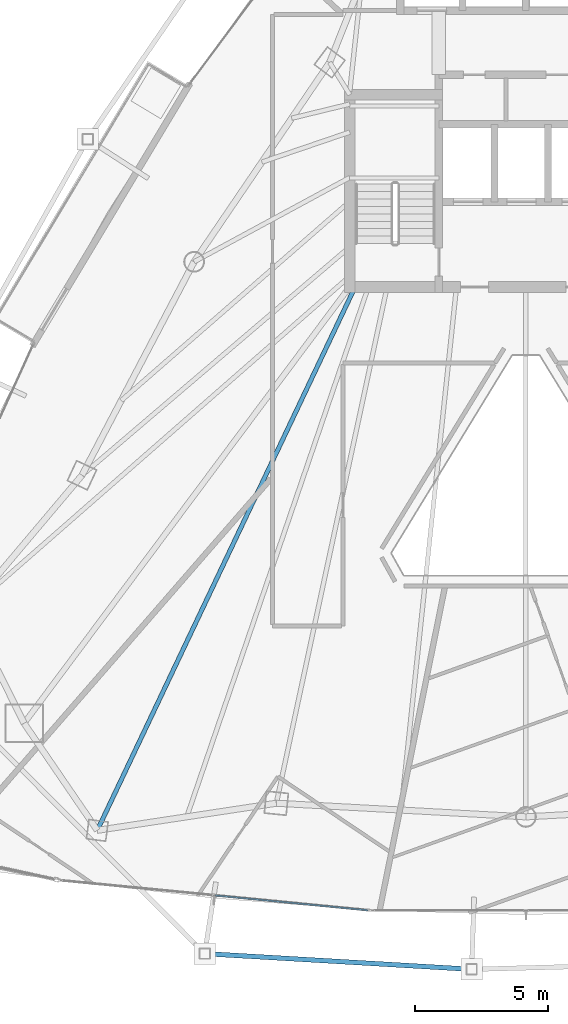
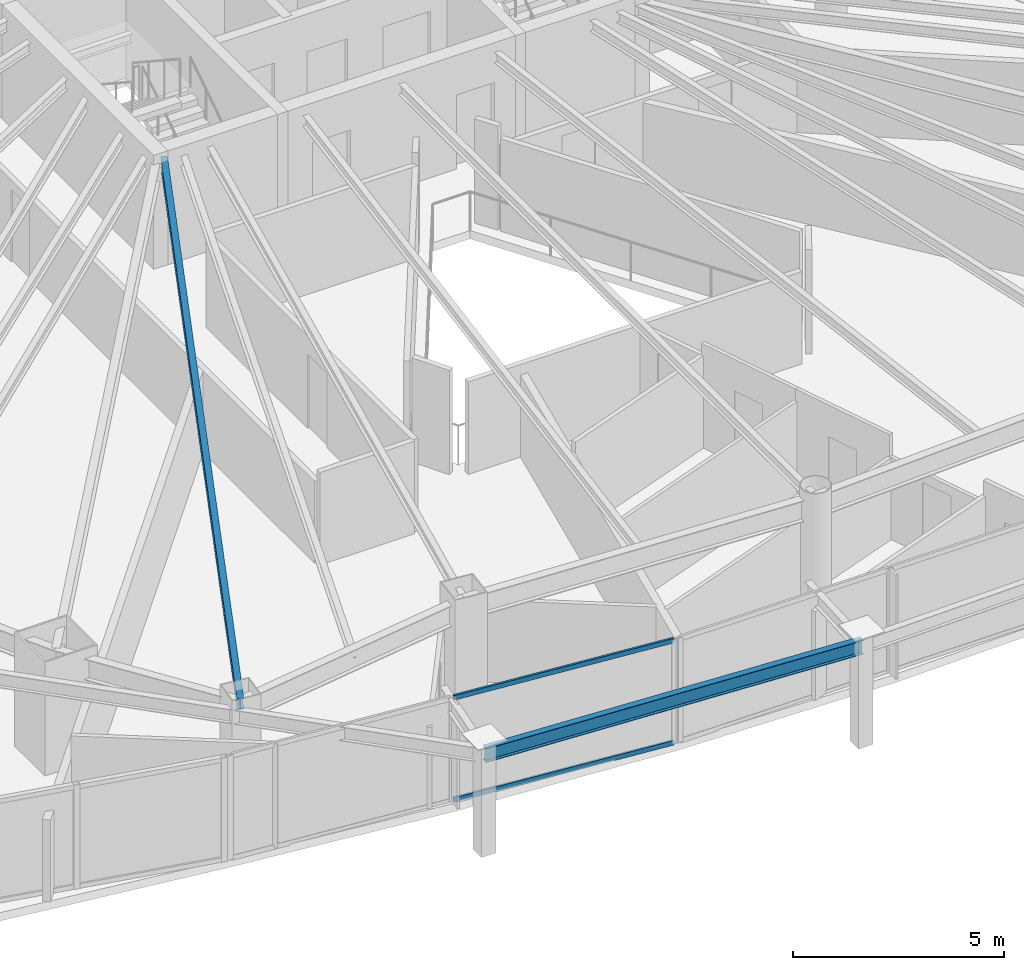
# One storey, part 6 of 30: 2 beams, 2 members, 1 element without a shape of its own.
"""IFC4 building model written with IfcOpenShell, lengths in metres."""

from ifc_helpers import new_model, si_unit, direction, frame, origin, origin_2d, place, context, subcontext, project, spatial, hollow_rectangle, i_section, extrude, material, layer, layer_set, material_profile, profile_set, type_object, element, aggregate, save


model = new_model("IFC4")

# Units and contexts
model_context = context("Model", 3, precision=1e-05, world=origin(), true_north=direction((0.0, 1.0)))
body_context = subcontext(model_context, "Body", "Model", "MODEL_VIEW")
ifc_project = project(units=[si_unit("LENGTHUNIT", "METRE"), si_unit("AREAUNIT", "SQUARE_METRE"), si_unit("VOLUMEUNIT", "CUBIC_METRE"), si_unit("PLANEANGLEUNIT", "RADIAN"), si_unit("MASSUNIT", "GRAM", prefix="KILO")], contexts=[model_context])

# Site, building, storey
site_placement = place(None, origin())
site = spatial("IfcSite", under=ifc_project, at=site_placement, CompositionType="ELEMENT")
building_placement = place(site_placement, origin())
building = spatial("IfcBuilding", under=site, at=building_placement, Name="Orvanel Arch Residences", CompositionType="ELEMENT")
storey_placement = place(building_placement, frame((0.0, 0.0, 143.0)))
storey = spatial("IfcBuildingStorey", under=building, at=storey_placement, Name="L40", CompositionType="ELEMENT", Elevation=143.0)

# Beams
ifc_material_1 = material(Name="Structural steel AS/NZS 3679.1 Grade 300 (300 MPa)", Category="steel")
ifc_material_profile_1 = material_profile(ifc_material_1, i_section(OverallWidth=0.1650390625, OverallDepth=0.303955078125, WebThickness=0.006103515625, FlangeThickness=0.01025390625, at=origin_2d()), Name="310UB40.4")
ifc_profile_set_1 = profile_set([ifc_material_profile_1], Name="Structural steel AS/NZS 3679.1 Grade 300 (300 MPa)")
beam_type_1 = type_object("IfcBeamType", Name="BJ-310UB", PredefinedType="JOIST", material=ifc_profile_set_1)
beam_1_placement = place(storey_placement, frame((26.60009765625, 26.699951171875, 2.867919921875), z_axis=(-0.428614365266, -0.903487534993, 0.0), x_axis=(0.903487534993, -0.428614365266, 0.0)))
element("IfcBeam", 1, at=beam_1_placement, inside=storey, type_object=beam_type_1, Name="L40 MSW Wing Floor Joist", PredefinedType="JOIST", context=body_context, shape_type="SweptSolid", body=[
    extrude(i_section(OverallWidth=0.1650390625, OverallDepth=0.303955078125, WebThickness=0.006103515625, FlangeThickness=0.01025390625, at=origin_2d()), origin(), (0.0, 0.0, 1.0), 22.535888671875),
])
ifc_material_profile_2 = material_profile(ifc_material_1, i_section(OverallWidth=0.177978515625, OverallDepth=0.406005859375, WebThickness=0.0078125, FlangeThickness=0.0126953125, at=origin_2d()), Name="410UB59.7")
ifc_profile_set_2 = profile_set([ifc_material_profile_2], Name="Structural steel AS/NZS 3679.1 Grade 300 (300 MPa)")
beam_type_2 = type_object("IfcBeamType", Name="OB-410UB-EXT", PredefinedType="SPANDREL", material=ifc_profile_set_2)
beam_2_placement = place(storey_placement, frame((20.964111328125, 1.719970703125, 2.81689453125), z_axis=(0.998277396455, -0.058670603599, 0.0), x_axis=(0.058670603599, 0.998277396455, 0.0)))
element("IfcBeam", 2, at=beam_2_placement, inside=storey, type_object=beam_type_2, Name="L40 Outer Perimeter Floor Ring Beam 05", PredefinedType="SPANDREL", context=body_context, shape_type="SweptSolid", body=[
    extrude(i_section(OverallWidth=0.177978515625, OverallDepth=0.406005859375, WebThickness=0.0078125, FlangeThickness=0.0126953125, at=origin_2d()), origin(), (0.0, 0.0, 1.0), 10.020263671875),
])

# Curtain wall, members
ifc_material_2 = material(Name="Bronze-anodised aluminium AA6063-T6", Category="aluminium")
ifc_layer = layer(ifc_material_2, 0.179931640625)
ifc_layer_set = layer_set([ifc_layer], Name="Bronze-anodised aluminium AA6063-T6")
curtain_wall_type = type_object("IfcCurtainWallType", Name="CW3-MID-SYS", PredefinedType="NOTDEFINED", material=ifc_layer_set)
curtain_wall_placement = place(storey_placement, origin())
curtain_wall = element("IfcCurtainWall", 3, at=curtain_wall_placement, inside=storey, type_object=curtain_wall_type, Name="L40 CW3-MID-SYS Unitised Curtain Wall", PredefinedType="NOTDEFINED")
ifc_material_profile_3 = material_profile(ifc_material_2, hollow_rectangle(XDim=0.06005859375, YDim=0.135009765625, WallThickness=0.00390625, at=origin_2d()), Name="ALU135x60x4")
ifc_profile_set_3 = profile_set([ifc_material_profile_3], Name="Bronze-anodised aluminium AA6063-T6")
member_type = type_object("IfcMemberType", Name="TRN-135x60", PredefinedType="USERDEFINED", material=ifc_profile_set_3)
member_1_placement = place(storey_placement, frame((21.372802734375, 3.899658203125, 0.030029296875), z_axis=(0.995321391239, -0.096619501871, 0.0), x_axis=(0.096619501871, 0.995321391239, 0.0)))
member_1 = element("IfcMember", 4, at=member_1_placement, type_object=member_type, Name="CW-S3 transom 2.1", ObjectType="TRANSOM", PredefinedType="USERDEFINED", context=body_context, shape_type="SweptSolid", body=[
    extrude(hollow_rectangle(XDim=0.06005859375, YDim=0.135009765625, WallThickness=0.00390625, at=origin_2d()), origin(), (0.0, 0.0, 1.0), 5.7333984375),
])
member_2_placement = place(storey_placement, frame((21.372802734375, 3.899658203125, 2.989990234375), z_axis=(0.995321391239, -0.096619501871, 0.0), x_axis=(0.096619501871, 0.995321391239, 0.0)))
member_2 = element("IfcMember", 5, at=member_2_placement, type_object=member_type, Name="CW-S3 transom 2.2", ObjectType="TRANSOM", PredefinedType="USERDEFINED", context=body_context, shape_type="SweptSolid", body=[
    extrude(hollow_rectangle(XDim=0.06005859375, YDim=0.135009765625, WallThickness=0.00390625, at=origin_2d()), origin(), (0.0, 0.0, 1.0), 5.7333984375),
])
aggregate(curtain_wall, [member_1, member_2])

save(model, "model.ifc")
